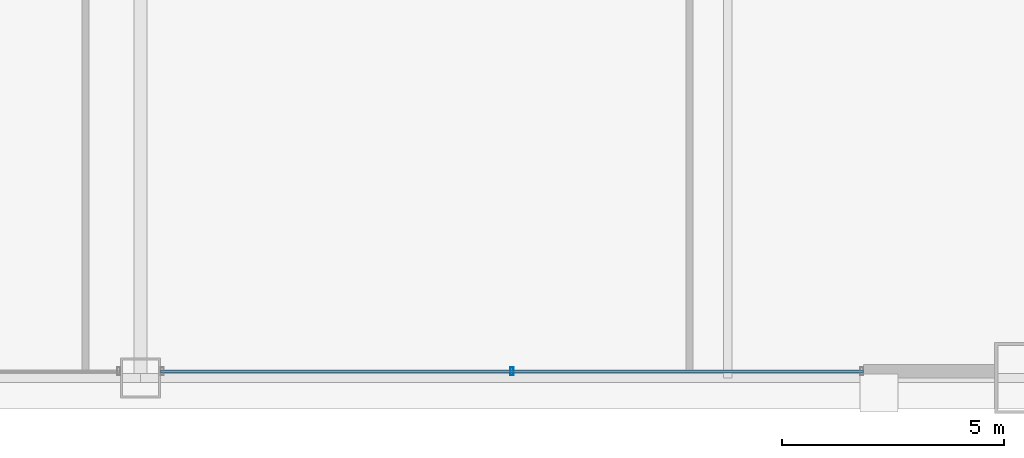
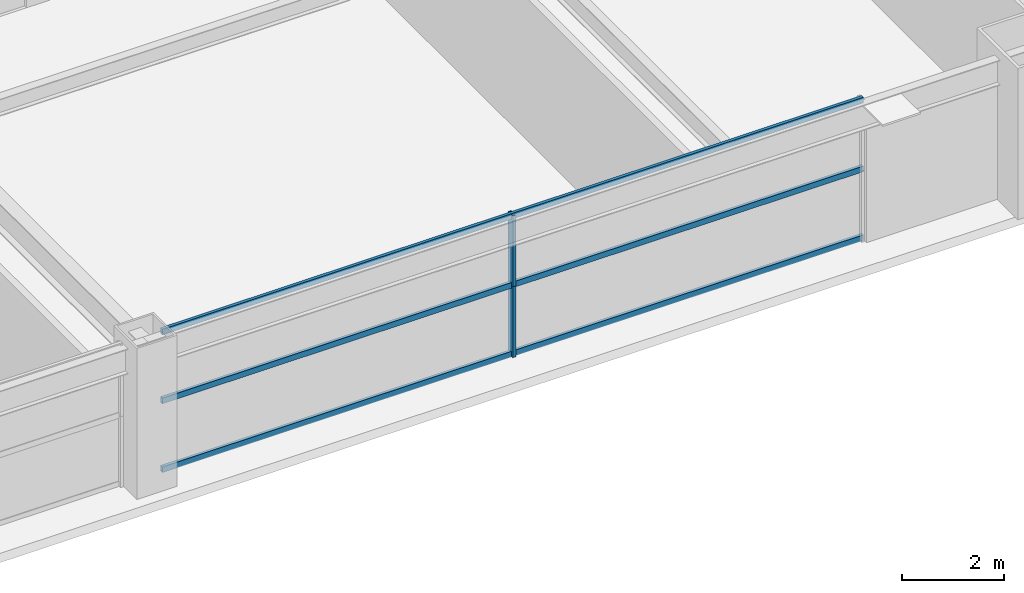
# One storey, part 13 of 38: 5 members, 1 element without a shape of its own.
"""IFC4 building model written with IfcOpenShell, lengths in metres."""

from ifc_helpers import new_model, si_unit, direction, frame, origin, origin_2d, place, context, subcontext, project, spatial, hollow_rectangle, extrude, source, transform, mapped, material, layer, layer_set, material_profile, profile_set, type_object, element, aggregate, save


model = new_model("IFC4")

# Units and contexts
model_context = context("Model", 3, precision=1e-05, world=origin(), true_north=direction((0.0, 1.0)))
body_context = subcontext(model_context, "Body", "Model", "MODEL_VIEW")
ifc_project = project(units=[si_unit("LENGTHUNIT", "METRE"), si_unit("AREAUNIT", "SQUARE_METRE"), si_unit("VOLUMEUNIT", "CUBIC_METRE"), si_unit("PLANEANGLEUNIT", "RADIAN"), si_unit("MASSUNIT", "GRAM", prefix="KILO"), si_unit("THERMODYNAMICTEMPERATUREUNIT", "KELVIN"), si_unit("POWERUNIT", "WATT")], contexts=[model_context])

# Site, building, storey
site_placement = place(None, origin())
site = spatial("IfcSite", under=ifc_project, at=site_placement, CompositionType="ELEMENT")
building_placement = place(site_placement, origin())
building = spatial("IfcBuilding", under=site, at=building_placement, Name="Yuzanri Waterfront Tower", CompositionType="ELEMENT")
storey_placement = place(building_placement, frame((0.0, 0.0, 119.0)))
storey = spatial("IfcBuildingStorey", under=building, at=storey_placement, Name="L31", CompositionType="ELEMENT", Elevation=119.0)

# Curtain wall, members
ifc_material_1 = material(Name="Anodized Architectural Bronze", Category="metal")
ifc_layer = layer(ifc_material_1, 0.159912109375)
ifc_layer_set = layer_set([ifc_layer], Name="Anodized Architectural Bronze")
curtain_wall_type = type_object("IfcCurtainWallType", Name="Anodized Bronze Hotel Upper-Tier Solar-Control Unitized Curtain Wall 7800", PredefinedType="NOTDEFINED", material=ifc_layer_set)
curtain_wall_placement = place(storey_placement, origin())
curtain_wall = element("IfcCurtainWall", 1, at=curtain_wall_placement, inside=storey, type_object=curtain_wall_type, Name="L31 Curtain Wall CW-L31-SR", PredefinedType="NOTDEFINED")
ifc_material_2 = material(Name="Anodized Architectural Bronze", Category="metal")
ifc_material_profile_1 = material_profile(ifc_material_2, hollow_rectangle(XDim=0.070068359375, YDim=0.179931640625, WallThickness=0.00390625, at=origin_2d()), Name="CWM 70x180")
ifc_profile_set_1 = profile_set([ifc_material_profile_1], Name="Anodized Architectural Bronze")
member_type_1 = type_object("IfcMemberType", Name="Anodized Bronze Standard Curtain-Wall Mullion 70x180", PredefinedType="MULLION", material=ifc_profile_set_1)
shared_shape_1 = source(origin(), body_context, "Body", "SweptSolid", [
    extrude(hollow_rectangle(XDim=0.070068359375, YDim=0.179931640625, WallThickness=0.00390625, at=origin_2d()), origin(), (0.0, 0.0, 1.0), 1.68798828125),
])
member_1_placement = place(storey_placement, frame((45.35009765625, 2.35009765625, 0.0), z_axis=(0.0, 0.0, 1.0), x_axis=(1.0, 0.0, 0.0)))
member_1 = element("IfcMember", 2, at=member_1_placement, type_object=member_type_1, Name="CW-L31-SR Lower Mullion 01", PredefinedType="MULLION", context=body_context, shape_type="MappedRepresentation", body=[
    mapped(shared_shape_1, transform((0.0, 0.0, 0.0), scale=1.0)),
])
member_2_placement = place(storey_placement, frame((45.35009765625, 2.35009765625, 1.69189453125), z_axis=(0.0, 0.0, 1.0), x_axis=(1.0, 0.0, 0.0)))
member_2 = element("IfcMember", 3, at=member_2_placement, type_object=member_type_1, Name="CW-L31-SR Upper Mullion 01", PredefinedType="MULLION", context=body_context, shape_type="MappedRepresentation", body=[
    mapped(shared_shape_1, transform((0.0, 0.0, 0.0), scale=1.0)),
])
ifc_material_3 = material(Name="Anodized Architectural Bronze", Category="metal")
ifc_material_profile_2 = material_profile(ifc_material_3, hollow_rectangle(XDim=0.070068359375, YDim=0.135009765625, WallThickness=0.00341796875, at=origin_2d()), Name="CWT 70x135")
ifc_profile_set_2 = profile_set([ifc_material_profile_2], Name="Anodized Architectural Bronze")
member_type_2 = type_object("IfcMemberType", Name="Anodized Bronze Standard Curtain-Wall Transom 70x135", PredefinedType="USERDEFINED", material=ifc_profile_set_2)
shared_shape_2 = source(origin(), body_context, "Body", "SweptSolid", [
    extrude(hollow_rectangle(XDim=0.070068359375, YDim=0.135009765625, WallThickness=0.00341796875, at=origin_2d()), origin(), (0.0, 0.0, 1.0), 15.800048828125),
])
member_3_placement = place(storey_placement, frame((37.449951171875, 2.35009765625, 0.050048828125), z_axis=(1.0, 0.0, 0.0), x_axis=(0.0, 1.0, 0.0)))
member_3 = element("IfcMember", 4, at=member_3_placement, type_object=member_type_2, Name="CW-L31-SR Transom 1", ObjectType="TRANSOM", PredefinedType="USERDEFINED", context=body_context, shape_type="MappedRepresentation", body=[
    mapped(shared_shape_2, transform((0.0, 0.0, 0.0), scale=1.0)),
])
member_4_placement = place(storey_placement, frame((37.449951171875, 2.35009765625, 1.68994140625), z_axis=(1.0, 0.0, 0.0), x_axis=(0.0, 1.0, 0.0)))
member_4 = element("IfcMember", 5, at=member_4_placement, type_object=member_type_2, Name="CW-L31-SR Transom 2", ObjectType="TRANSOM", PredefinedType="USERDEFINED", context=body_context, shape_type="MappedRepresentation", body=[
    mapped(shared_shape_2, transform((0.0, 0.0, 0.0), scale=1.0)),
])
member_5_placement = place(storey_placement, frame((37.449951171875, 2.35009765625, 3.330078125), z_axis=(1.0, 0.0, 0.0), x_axis=(0.0, 1.0, 0.0)))
member_5 = element("IfcMember", 6, at=member_5_placement, type_object=member_type_2, Name="CW-L31-SR Transom 3", ObjectType="TRANSOM", PredefinedType="USERDEFINED", context=body_context, shape_type="MappedRepresentation", body=[
    mapped(shared_shape_2, transform((0.0, 0.0, 0.0), scale=1.0)),
])
aggregate(curtain_wall, [member_1, member_2, member_3, member_4, member_5])

save(model, "model.ifc")
